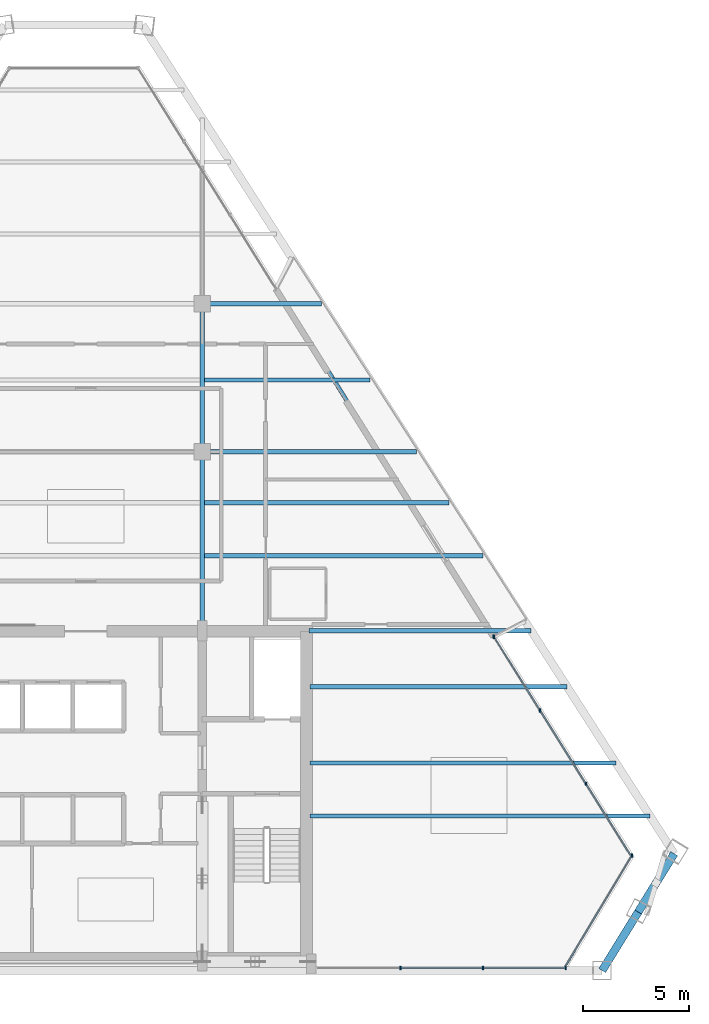
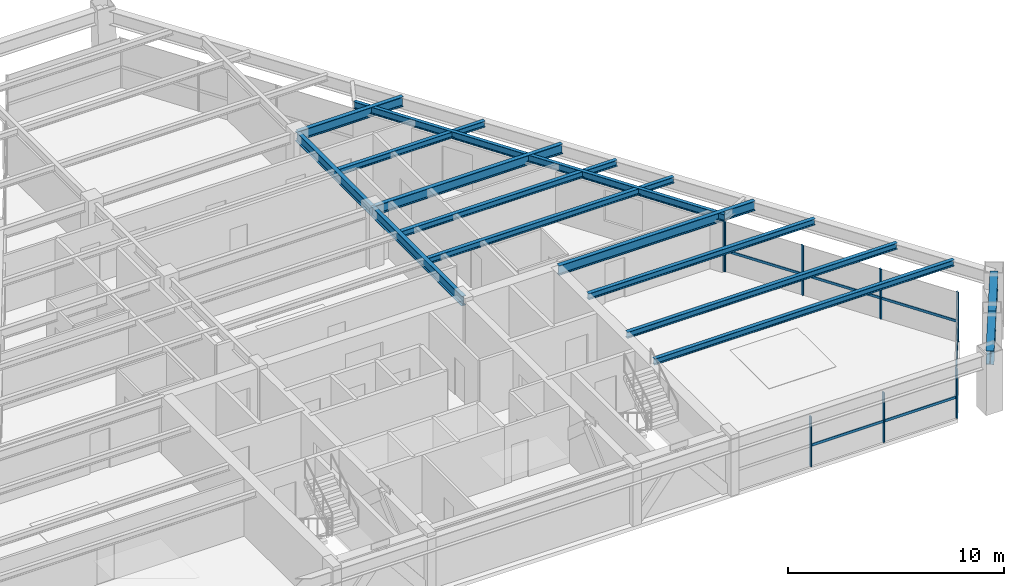
# One storey, part 4 of 12: 14 beams, 14 members, 3 elements without a shape of their own.
"""IFC4 building model written with IfcOpenShell, lengths in metres."""

from ifc_helpers import new_model, si_unit, direction, frame, origin, origin_2d, place, context, subcontext, project, spatial, rectangle, i_section, extrude, source, transform, mapped, material, material_profile, profile_set, type_object, type_shapes, element, aggregate, save


model = new_model("IFC4")

# Units and contexts
model_context = context("Model", 3, precision=1e-05, world=origin(), true_north=direction((0.0, 1.0)))
body_context = subcontext(model_context, "Body", "Model", "MODEL_VIEW")
ifc_project = project(units=[si_unit("LENGTHUNIT", "METRE"), si_unit("AREAUNIT", "SQUARE_METRE"), si_unit("VOLUMEUNIT", "CUBIC_METRE"), si_unit("PLANEANGLEUNIT", "RADIAN"), si_unit("MASSUNIT", "GRAM", prefix="KILO")], contexts=[model_context])

# Site, building, storey
site_placement = place(None, origin())
site = spatial("IfcSite", under=ifc_project, at=site_placement, CompositionType="ELEMENT")
building_placement = place(site_placement, origin())
building = spatial("IfcBuilding", under=site, at=building_placement, Name="Varnakhor Terracotta Tower", CompositionType="ELEMENT")
storey_placement = place(building_placement, frame((0.0, 0.0, 220.0)))
storey = spatial("IfcBuildingStorey", under=building, at=storey_placement, Name="L56", CompositionType="ELEMENT", Elevation=220.0)

# Beams
ifc_material_1 = material(Name="Steel S355", Category="steel")
ifc_material_profile_1 = material_profile(ifc_material_1, i_section(OverallWidth=0.214111328125, OverallDepth=0.549072265625, WebThickness=0.014892578125, FlangeThickness=0.02392578125, FilletRadius=0.01806640625, at=origin_2d()), Name="W21X93")
ifc_profile_set_1 = profile_set([ifc_material_profile_1], Name="Steel S355")
beam_type_1 = type_object("IfcBeamType", Name="BM-W21X93", PredefinedType="BEAM", material=ifc_profile_set_1)
shared_shape_1 = source(origin(), body_context, "Body", "SweptSolid", [
    extrude(i_section(OverallWidth=0.214111328125, OverallDepth=0.549072265625, WebThickness=0.014892578125, FlangeThickness=0.02392578125, FilletRadius=0.01806640625, at=origin_2d()), origin(), (0.0, 0.0, 1.0), 8.449951171875),
])
type_shapes(beam_type_1, [shared_shape_1])
beam_1_placement = place(storey_placement, frame((5.5, 16.050048828125, 2.965576171875), z_axis=(0.0, 1.0, 0.0), x_axis=(-1.0, 0.0, 0.0)))
element("IfcBeam", 1, at=beam_1_placement, inside=storey, type_object=beam_type_1, Name="L56 Primary Girder NS1-E", PredefinedType="BEAM", context=body_context, shape_type="MappedRepresentation", body=[
    mapped(shared_shape_1, transform((0.0, 0.0, 0.0), scale=1.0)),
])
shared_shape_2 = source(origin(), body_context, "Body", "SweptSolid", [
    extrude(i_section(OverallWidth=0.214111328125, OverallDepth=0.549072265625, WebThickness=0.014892578125, FlangeThickness=0.02392578125, FilletRadius=0.01806640625, at=origin_2d()), origin(), (0.0, 0.0, 1.0), 7.0),
])
beam_2_placement = place(storey_placement, frame((5.5, 24.5, 2.965576171875), z_axis=(0.0, 1.0, 0.0), x_axis=(-1.0, 0.0, 0.0)))
element("IfcBeam", 2, at=beam_2_placement, inside=storey, type_object=beam_type_1, Name="L56 Primary Girder NS2-E", PredefinedType="BEAM", context=body_context, shape_type="MappedRepresentation", body=[
    mapped(shared_shape_2, transform((0.0, 0.0, 0.0), scale=1.0)),
])
ifc_material_profile_2 = material_profile(ifc_material_1, i_section(OverallWidth=0.381103515625, OverallDepth=0.77294921875, WebThickness=0.01708984375, FlangeThickness=0.027099609375, FilletRadius=0.01806640625, at=origin_2d()), Name="W30X173")
ifc_profile_set_2 = profile_set([ifc_material_profile_2], Name="Steel S355")
beam_type_2 = type_object("IfcBeamType", Name="BM-W30X173", PredefinedType="BEAM", material=ifc_profile_set_2)
shared_shape_3 = source(origin(), body_context, "Body", "SweptSolid", [
    extrude(i_section(OverallWidth=0.381103515625, OverallDepth=0.77294921875, WebThickness=0.01708984375, FlangeThickness=0.027099609375, FilletRadius=0.01806640625, at=origin_2d()), origin(), (0.0, 0.0, 1.0), 3.2421875),
])
for number, where, z_axis, x_axis, name in (
    (3, (24.3994140625, 0.0, 2.853515625), (0.524614086558, 0.851340155393, 0.0), (-0.851340155393, 0.524614086558, 0.0), "L56 Perimeter Spandrel 2"),
    (4, (26.100341796875, 2.76025390625, 2.853515625), (0.524614086558, 0.851340155393, 0.0), (-0.851340155393, 0.524614086558, 0.0), "L56 Perimeter Spandrel 3"),
):
    element("IfcBeam", number, at=place(storey_placement, frame(where, z_axis=z_axis, x_axis=x_axis)), inside=storey, type_object=beam_type_2, Name=name, PredefinedType="BEAM", context=body_context, shape_type="MappedRepresentation", body=[
        mapped(shared_shape_3, transform((0.0, 0.0, 0.0), scale=1.0)),
    ])
ifc_material_profile_3 = material_profile(ifc_material_1, i_section(OverallWidth=0.179931640625, OverallDepth=0.39990234375, WebThickness=0.008544921875, FlangeThickness=0.013427734375, FilletRadius=0.01806640625, at=origin_2d()), Name="IPE400")
ifc_profile_set_3 = profile_set([ifc_material_profile_3], Name="Steel S355")
beam_type_3 = type_object("IfcBeamType", Name="JST-IPE400", PredefinedType="JOIST", material=ifc_profile_set_3)
shared_shape_4 = source(origin(), body_context, "Body", "SweptSolid", [
    extrude(i_section(OverallWidth=0.179931640625, OverallDepth=0.39990234375, WebThickness=0.008544921875, FlangeThickness=0.013427734375, FilletRadius=0.01806640625, at=origin_2d()), origin(), (0.0, 0.0, 1.0), 19.431640625),
])
beam_3_placement = place(storey_placement, frame((19.294677734375, 15.7705078125, 3.0400390625), z_axis=(-0.52972335104, 0.848170484845, 0.0), x_axis=(-0.848170484845, -0.52972335104, 0.0)))
element("IfcBeam", 5, at=beam_3_placement, inside=storey, type_object=beam_type_3, Name="L56 Loggia Edge Beam 1", PredefinedType="JOIST", context=body_context, shape_type="MappedRepresentation", body=[
    mapped(shared_shape_4, transform((0.0, 0.0, 0.0), scale=1.0)),
])
shared_shape_5 = source(origin(), body_context, "Body", "SweptSolid", [
    extrude(i_section(OverallWidth=0.214111328125, OverallDepth=0.549072265625, WebThickness=0.014892578125, FlangeThickness=0.02392578125, FilletRadius=0.01806640625, at=origin_2d()), origin(), (0.0, 0.0, 1.0), 10.494140625),
])
beam_4_placement = place(storey_placement, frame((10.550048828125, 16.050048828125, 2.965576171875), z_axis=(1.0, 0.0, 0.0), x_axis=(0.0, 1.0, 0.0)))
element("IfcBeam", 6, at=beam_4_placement, inside=storey, type_object=beam_type_1, Name="L56 Wing Girder E", PredefinedType="BEAM", context=body_context, shape_type="MappedRepresentation", body=[
    mapped(shared_shape_5, transform((0.0, 0.0, 0.0), scale=1.0)),
])
shared_shape_6 = source(origin(), body_context, "Body", "SweptSolid", [
    extrude(i_section(OverallWidth=0.214111328125, OverallDepth=0.549072265625, WebThickness=0.014892578125, FlangeThickness=0.02392578125, FilletRadius=0.01806640625, at=origin_2d()), origin(), (0.0, 0.0, 1.0), 10.121337890625),
])
beam_5_placement = place(storey_placement, frame((5.5, 24.5, 2.965576171875), z_axis=(1.0, 0.0, 0.0), x_axis=(0.0, 1.0, 0.0)))
element("IfcBeam", 7, at=beam_5_placement, inside=storey, type_object=beam_type_1, Name="L56 Primary Girder EW2-3", PredefinedType="BEAM", context=body_context, shape_type="MappedRepresentation", body=[
    mapped(shared_shape_6, transform((0.0, 0.0, 0.0), scale=1.0)),
])
shared_shape_7 = source(origin(), body_context, "Body", "SweptSolid", [
    extrude(i_section(OverallWidth=0.214111328125, OverallDepth=0.549072265625, WebThickness=0.014892578125, FlangeThickness=0.02392578125, FilletRadius=0.01806640625, at=origin_2d()), origin(), (0.0, 0.0, 1.0), 5.629150390625),
])
beam_6_placement = place(storey_placement, frame((5.5, 31.5, 2.965576171875), z_axis=(1.0, 0.0, 0.0), x_axis=(0.0, 1.0, 0.0)))
element("IfcBeam", 8, at=beam_6_placement, inside=storey, type_object=beam_type_1, Name="L56 Primary Girder EW3-3", PredefinedType="BEAM", context=body_context, shape_type="MappedRepresentation", body=[
    mapped(shared_shape_7, transform((0.0, 0.0, 0.0), scale=1.0)),
])
ifc_material_profile_4 = material_profile(ifc_material_1, i_section(OverallWidth=0.202880859375, OverallDepth=0.346923828125, WebThickness=0.0078125, FlangeThickness=0.013427734375, FilletRadius=0.01806640625, at=origin_2d()), Name="W14X43")
ifc_profile_set_4 = profile_set([ifc_material_profile_4], Name="Steel S355")
beam_type_4 = type_object("IfcBeamType", Name="JST-W14X43", PredefinedType="JOIST", material=ifc_profile_set_4)
shared_shape_8 = source(origin(), body_context, "Body", "SweptSolid", [
    extrude(i_section(OverallWidth=0.202880859375, OverallDepth=0.346923828125, WebThickness=0.0078125, FlangeThickness=0.013427734375, FilletRadius=0.01806640625, at=origin_2d()), origin(), (0.0, 0.0, 1.0), 16.059326171875),
])
beam_7_placement = place(storey_placement, frame((10.60009765625, 7.300048828125, 3.06640625), z_axis=(1.0, 0.0, 0.0), x_axis=(0.0, 1.0, 0.0)))
element("IfcBeam", 9, at=beam_7_placement, inside=storey, type_object=beam_type_4, Name="L56 Floor Joist E1", PredefinedType="JOIST", context=body_context, shape_type="MappedRepresentation", body=[
    mapped(shared_shape_8, transform((0.0, 0.0, 0.0), scale=1.0)),
])
shared_shape_9 = source(origin(), body_context, "Body", "SweptSolid", [
    extrude(i_section(OverallWidth=0.202880859375, OverallDepth=0.346923828125, WebThickness=0.0078125, FlangeThickness=0.013427734375, FilletRadius=0.01806640625, at=origin_2d()), origin(), (0.0, 0.0, 1.0), 14.454833984375),
])
beam_8_placement = place(storey_placement, frame((10.60009765625, 9.800048828125, 3.06640625), z_axis=(1.0, 0.0, 0.0), x_axis=(0.0, 1.0, 0.0)))
element("IfcBeam", 10, at=beam_8_placement, inside=storey, type_object=beam_type_4, Name="L56 Floor Joist E2", PredefinedType="JOIST", context=body_context, shape_type="MappedRepresentation", body=[
    mapped(shared_shape_9, transform((0.0, 0.0, 0.0), scale=1.0)),
])
shared_shape_10 = source(origin(), body_context, "Body", "SweptSolid", [
    extrude(i_section(OverallWidth=0.202880859375, OverallDepth=0.346923828125, WebThickness=0.0078125, FlangeThickness=0.013427734375, FilletRadius=0.01806640625, at=origin_2d()), origin(), (0.0, 0.0, 1.0), 12.14453125),
])
beam_9_placement = place(storey_placement, frame((10.60009765625, 13.39990234375, 3.06640625), z_axis=(1.0, 0.0, 0.0), x_axis=(0.0, 1.0, 0.0)))
element("IfcBeam", 11, at=beam_9_placement, inside=storey, type_object=beam_type_4, Name="L56 Floor Joist E3", PredefinedType="JOIST", context=body_context, shape_type="MappedRepresentation", body=[
    mapped(shared_shape_10, transform((0.0, 0.0, 0.0), scale=1.0)),
])
shared_shape_11 = source(origin(), body_context, "Body", "SweptSolid", [
    extrude(i_section(OverallWidth=0.202880859375, OverallDepth=0.346923828125, WebThickness=0.0078125, FlangeThickness=0.013427734375, FilletRadius=0.01806640625, at=origin_2d()), origin(), (0.0, 0.0, 1.0), 13.162841796875),
])
beam_10_placement = place(storey_placement, frame((5.60302734375, 19.60009765625, 3.06640625), z_axis=(1.0, 0.0, 0.0), x_axis=(0.0, 1.0, 0.0)))
element("IfcBeam", 12, at=beam_10_placement, inside=storey, type_object=beam_type_4, Name="L56 Composite Floor Joist 4-3", PredefinedType="JOIST", context=body_context, shape_type="MappedRepresentation", body=[
    mapped(shared_shape_11, transform((0.0, 0.0, 0.0), scale=1.0)),
])
shared_shape_12 = source(origin(), body_context, "Body", "SweptSolid", [
    extrude(i_section(OverallWidth=0.202880859375, OverallDepth=0.346923828125, WebThickness=0.0078125, FlangeThickness=0.013427734375, FilletRadius=0.01806640625, at=origin_2d()), origin(), (0.0, 0.0, 1.0), 11.55859375),
])
beam_11_placement = place(storey_placement, frame((5.60302734375, 22.10009765625, 3.06640625), z_axis=(1.0, 0.0, 0.0), x_axis=(0.0, 1.0, 0.0)))
element("IfcBeam", 13, at=beam_11_placement, inside=storey, type_object=beam_type_4, Name="L56 Composite Floor Joist 5-3", PredefinedType="JOIST", context=body_context, shape_type="MappedRepresentation", body=[
    mapped(shared_shape_12, transform((0.0, 0.0, 0.0), scale=1.0)),
])
shared_shape_13 = source(origin(), body_context, "Body", "SweptSolid", [
    extrude(i_section(OverallWidth=0.202880859375, OverallDepth=0.346923828125, WebThickness=0.0078125, FlangeThickness=0.013427734375, FilletRadius=0.01806640625, at=origin_2d()), origin(), (0.0, 0.0, 1.0), 7.83642578125),
])
beam_12_placement = place(storey_placement, frame((5.60302734375, 27.89990234375, 3.06640625), z_axis=(1.0, 0.0, 0.0), x_axis=(0.0, 1.0, 0.0)))
element("IfcBeam", 14, at=beam_12_placement, inside=storey, type_object=beam_type_4, Name="L56 Composite Floor Joist 6-3", PredefinedType="JOIST", context=body_context, shape_type="MappedRepresentation", body=[
    mapped(shared_shape_13, transform((0.0, 0.0, 0.0), scale=1.0)),
])

# Curtain wall, members
ifc_material_2 = material(Name="Anodised Aluminium Curtain Wall System", Category="aluminium")
curtain_wall_type = type_object("IfcCurtainWallType", Name="CW-SYS-HOTEL-LOGGIA", PredefinedType="NOTDEFINED", material=ifc_material_2)
curtain_wall_1_placement = place(storey_placement, origin())
curtain_wall_1 = element("IfcCurtainWall", 15, at=curtain_wall_1_placement, inside=storey, type_object=curtain_wall_type, Name="L56 E Facet Curtain Wall 2", PredefinedType="NOTDEFINED")
ifc_material_3 = material(Name="Anodised Aluminium 6063-T6", Category="aluminium")
ifc_material_profile_5 = material_profile(ifc_material_3, rectangle(XDim=0.06494140625, YDim=0.159912109375, at=origin_2d()), Name="ALU MULLION 65x160")
ifc_profile_set_5 = profile_set([ifc_material_profile_5], Name="Anodised Aluminium 6063-T6")
member_type_1 = type_object("IfcMemberType", Name="CWM-04", PredefinedType="MULLION", material=ifc_profile_set_5)
shared_shape_14 = source(origin(), body_context, "Body", "SweptSolid", [
    extrude(rectangle(XDim=0.06494140625, YDim=0.159912109375, at=origin_2d()), origin(), (0.0, 0.0, 1.0), 2.820068359375),
])
type_shapes(member_type_1, [shared_shape_14])
member_1_placement = place(storey_placement, frame((19.29052734375, 15.759521484375, 0.0), z_axis=(0.0, 0.0, 1.0), x_axis=(1.0, 0.0, 0.0)))
member_1 = element("IfcMember", 16, at=member_1_placement, type_object=member_type_1, Name="L56 E Facet Curtain Wall 2 Mullion 1", PredefinedType="MULLION", context=body_context, shape_type="MappedRepresentation", body=[
    mapped(shared_shape_14, transform((0.0, 0.0, 0.0), scale=1.0)),
])
member_2_placement = place(storey_placement, frame((21.461181640625, 12.29150390625, 0.0), z_axis=(0.0, 0.0, 1.0), x_axis=(1.0, 0.0, 0.0)))
member_2 = element("IfcMember", 17, at=member_2_placement, type_object=member_type_1, Name="L56 E Facet Curtain Wall 2 Mullion 2", PredefinedType="MULLION", context=body_context, shape_type="MappedRepresentation", body=[
    mapped(shared_shape_14, transform((0.0, 0.0, 0.0), scale=1.0)),
])
member_3_placement = place(storey_placement, frame((23.6318359375, 8.823486328125, 0.0), z_axis=(0.0, 0.0, 1.0), x_axis=(1.0, 0.0, 0.0)))
member_3 = element("IfcMember", 18, at=member_3_placement, type_object=member_type_1, Name="L56 E Facet Curtain Wall 2 Mullion 3", PredefinedType="MULLION", context=body_context, shape_type="MappedRepresentation", body=[
    mapped(shared_shape_14, transform((0.0, 0.0, 0.0), scale=1.0)),
])
member_4_placement = place(storey_placement, frame((19.2578125, 15.7744140625, 0.0), z_axis=(0.0, 0.0, 1.0), x_axis=(1.0, 0.0, 0.0)))
member_4 = element("IfcMember", 19, at=member_4_placement, type_object=member_type_1, Name="L56 E Loggia Jamb Closure Mullion 2", PredefinedType="MULLION", context=body_context, shape_type="MappedRepresentation", body=[
    mapped(shared_shape_14, transform((0.0, 0.0, 0.0), scale=1.0)),
])

# Curtain wall, member
curtain_wall_2_placement = place(storey_placement, origin())
curtain_wall_2 = element("IfcCurtainWall", 20, at=curtain_wall_2_placement, inside=storey, type_object=curtain_wall_type, Name="L56 Facet Curtain Wall 4", PredefinedType="NOTDEFINED")
member_5_placement = place(storey_placement, frame((25.8017578125, 5.4296875, 0.0), z_axis=(0.0, 0.0, 1.0), x_axis=(1.0, 0.0, 0.0)))
member_5 = element("IfcMember", 21, at=member_5_placement, type_object=member_type_1, Name="L56 Facet Curtain Wall 4 Mullion 1", PredefinedType="MULLION", context=body_context, shape_type="MappedRepresentation", body=[
    mapped(shared_shape_14, transform((0.0, 0.0, 0.0), scale=1.0)),
])

# Curtain wall, members
curtain_wall_3_placement = place(storey_placement, origin())
curtain_wall_3 = element("IfcCurtainWall", 22, at=curtain_wall_3_placement, inside=storey, type_object=curtain_wall_type, Name="L56 South Wing Curtain Wall SSE", PredefinedType="NOTDEFINED")
member_6_placement = place(storey_placement, frame((22.675048828125, 0.1201171875, 0.0), z_axis=(0.0, 0.0, 1.0), x_axis=(1.0, 0.0, 0.0)))
member_6 = element("IfcMember", 23, at=member_6_placement, type_object=member_type_1, Name="L56 South Wing Curtain Wall SSE Mullion 1", PredefinedType="MULLION", context=body_context, shape_type="MappedRepresentation", body=[
    mapped(shared_shape_14, transform((0.0, 0.0, 0.0), scale=1.0)),
])
member_7_placement = place(storey_placement, frame((18.7734375, 0.1201171875, 0.0), z_axis=(0.0, 0.0, 1.0), x_axis=(1.0, 0.0, 0.0)))
member_7 = element("IfcMember", 24, at=member_7_placement, type_object=member_type_1, Name="L56 South Wing Curtain Wall SSE Mullion 2", PredefinedType="MULLION", context=body_context, shape_type="MappedRepresentation", body=[
    mapped(shared_shape_14, transform((0.0, 0.0, 0.0), scale=1.0)),
])
member_8_placement = place(storey_placement, frame((14.87158203125, 0.1201171875, 0.0), z_axis=(0.0, 0.0, 1.0), x_axis=(1.0, 0.0, 0.0)))
member_8 = element("IfcMember", 25, at=member_8_placement, type_object=member_type_1, Name="L56 South Wing Curtain Wall SSE Mullion 3", PredefinedType="MULLION", context=body_context, shape_type="MappedRepresentation", body=[
    mapped(shared_shape_14, transform((0.0, 0.0, 0.0), scale=1.0)),
])

# Member
ifc_material_profile_6 = material_profile(ifc_material_3, rectangle(XDim=0.06494140625, YDim=0.14501953125, at=origin_2d()), Name="ALU TRANSOM 65x145")
ifc_profile_set_6 = profile_set([ifc_material_profile_6], Name="Anodised Aluminium 6063-T6")
member_type_2 = type_object("IfcMemberType", Name="CWT-04", PredefinedType="USERDEFINED", material=ifc_profile_set_6)
shared_shape_15 = source(origin(), body_context, "Body", "SweptSolid", [
    extrude(rectangle(XDim=0.06494140625, YDim=0.14501953125, at=origin_2d()), origin(), (0.0, 0.0, 1.0), 4.09130859375),
])
member_9_placement = place(storey_placement, frame((19.29052734375, 15.759521484375, 1.184326171875), z_axis=(0.530551304239, -0.847652826085, 0.0), x_axis=(0.847652826085, 0.530551304239, 0.0)))
member_9 = element("IfcMember", 26, at=member_9_placement, type_object=member_type_2, Name="L56 E Facet Curtain Wall 2 Transom 1", ObjectType="TRANSOM", PredefinedType="USERDEFINED", context=body_context, shape_type="MappedRepresentation", body=[
    mapped(shared_shape_15, transform((0.0, 0.0, 0.0), scale=1.0)),
])

member_10_placement = place(storey_placement, frame((21.461181640625, 12.29150390625, 1.184326171875), z_axis=(0.530551304239, -0.847652826085, 0.0), x_axis=(0.847652826085, 0.530551304239, 0.0)))
member_10 = element("IfcMember", 27, at=member_10_placement, type_object=member_type_2, Name="L56 E Facet Curtain Wall 2 Transom 2", ObjectType="TRANSOM", PredefinedType="USERDEFINED", context=body_context, shape_type="MappedRepresentation", body=[
    mapped(shared_shape_15, transform((0.0, 0.0, 0.0), scale=1.0)),
])

member_11_placement = place(storey_placement, frame((23.6318359375, 8.823486328125, 1.184326171875), z_axis=(0.530551304239, -0.847652826085, 0.0), x_axis=(0.847652826085, 0.530551304239, 0.0)))
member_11 = element("IfcMember", 28, at=member_11_placement, type_object=member_type_2, Name="L56 E Facet Curtain Wall 2 Transom 3", ObjectType="TRANSOM", PredefinedType="USERDEFINED", context=body_context, shape_type="MappedRepresentation", body=[
    mapped(shared_shape_15, transform((0.0, 0.0, 0.0), scale=1.0)),
])

aggregate(curtain_wall_1, [member_1, member_9, member_2, member_10, member_3, member_11, member_4])

shared_shape_16 = source(origin(), body_context, "Body", "SweptSolid", [
    extrude(rectangle(XDim=0.06494140625, YDim=0.14501953125, at=origin_2d()), origin(), (0.0, 0.0, 1.0), 6.2294921875),
])
member_12_placement = place(storey_placement, frame((25.8017578125, 5.4296875, 1.184326171875), z_axis=(-0.514345898694, -0.857582821946, 0.0), x_axis=(0.857582821946, -0.514345898694, 0.0)))
member_12 = element("IfcMember", 29, at=member_12_placement, type_object=member_type_2, Name="L56 Facet Curtain Wall 4 Transom 1", ObjectType="TRANSOM", PredefinedType="USERDEFINED", context=body_context, shape_type="MappedRepresentation", body=[
    mapped(shared_shape_16, transform((0.0, 0.0, 0.0), scale=1.0)),
])

aggregate(curtain_wall_2, [member_5, member_12])

shared_shape_17 = source(origin(), body_context, "Body", "SweptSolid", [
    extrude(rectangle(XDim=0.06494140625, YDim=0.14501953125, at=origin_2d()), origin(), (0.0, 0.0, 1.0), 3.901611328125),
])
member_13_placement = place(storey_placement, frame((22.675048828125, 0.1201171875, 1.184326171875), z_axis=(-1.0, 0.0, 0.0), x_axis=(0.0, -1.0, 0.0)))
member_13 = element("IfcMember", 30, at=member_13_placement, type_object=member_type_2, Name="L56 South Wing Curtain Wall SSE Transom 1", ObjectType="TRANSOM", PredefinedType="USERDEFINED", context=body_context, shape_type="MappedRepresentation", body=[
    mapped(shared_shape_17, transform((0.0, 0.0, 0.0), scale=1.0)),
])

shared_shape_18 = source(origin(), body_context, "Body", "SweptSolid", [
    extrude(rectangle(XDim=0.06494140625, YDim=0.14501953125, at=origin_2d()), origin(), (0.0, 0.0, 1.0), 3.90185546875),
])
member_14_placement = place(storey_placement, frame((18.7734375, 0.1201171875, 1.184326171875), z_axis=(-1.0, 0.0, 0.0), x_axis=(0.0, -1.0, 0.0)))
member_14 = element("IfcMember", 31, at=member_14_placement, type_object=member_type_2, Name="L56 South Wing Curtain Wall SSE Transom 2", ObjectType="TRANSOM", PredefinedType="USERDEFINED", context=body_context, shape_type="MappedRepresentation", body=[
    mapped(shared_shape_18, transform((0.0, 0.0, 0.0), scale=1.0)),
])

aggregate(curtain_wall_3, [member_6, member_13, member_7, member_14, member_8])

save(model, "model.ifc")
